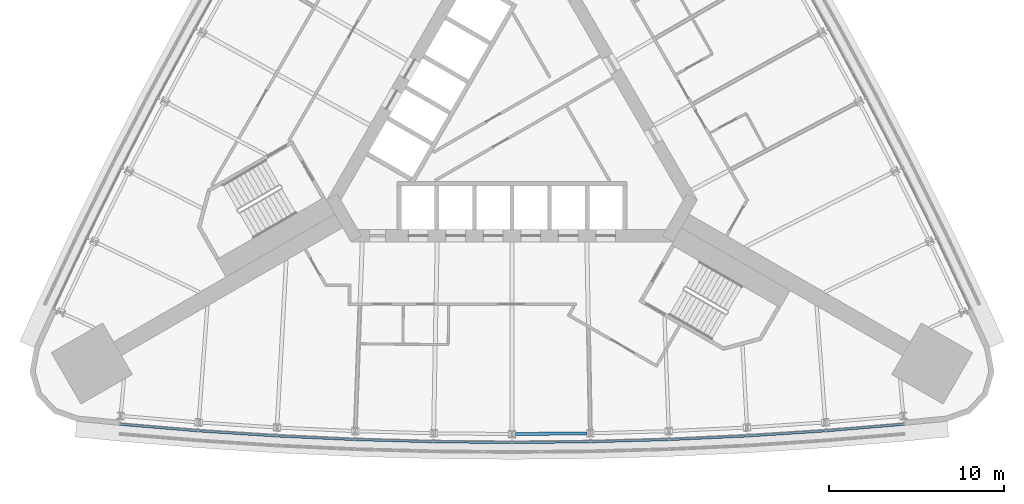
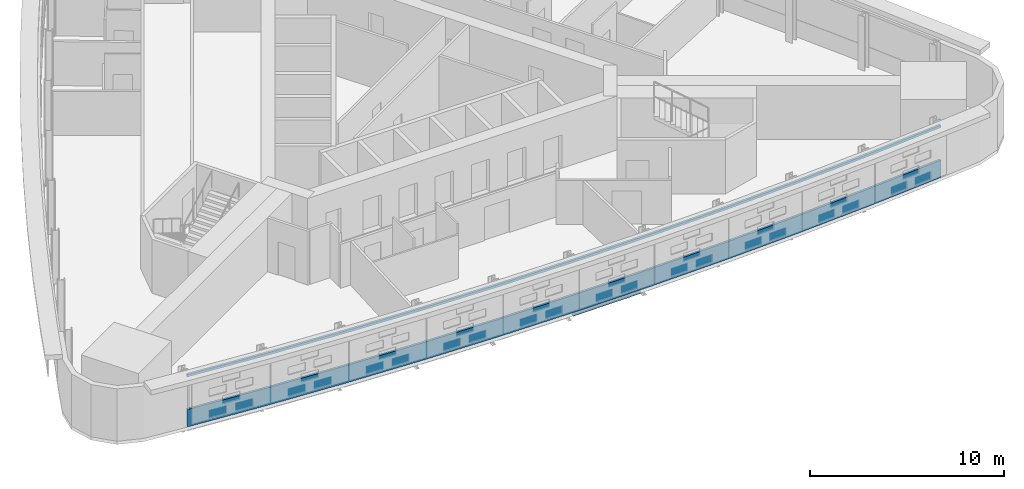
# One storey, part 3 of 15: 2 members, 1 beam, 1 element without a shape of its own.
"""IFC4 building model written with IfcOpenShell, lengths in metres."""

from ifc_helpers import new_model, si_unit, direction, frame, origin, origin_2d, place, context, subcontext, project, spatial, polyline, i_section, outline, extrude, material, material_profile, profile_set, type_object, element, aggregate, save


model = new_model("IFC4")

# Units and contexts
model_context = context("Model", 3, precision=1e-05, world=origin(), true_north=direction((0.0, 1.0)))
body_context = subcontext(model_context, "Body", "Model", "MODEL_VIEW")
ifc_project = project(units=[si_unit("LENGTHUNIT", "METRE"), si_unit("AREAUNIT", "SQUARE_METRE"), si_unit("VOLUMEUNIT", "CUBIC_METRE"), si_unit("PLANEANGLEUNIT", "RADIAN"), si_unit("MASSUNIT", "GRAM", prefix="KILO")], contexts=[model_context])

# Site, building, storey
site_placement = place(None, origin())
site = spatial("IfcSite", under=ifc_project, at=site_placement, CompositionType="ELEMENT")
building_placement = place(site_placement, origin())
building = spatial("IfcBuilding", under=site, at=building_placement, Name="Noor Cloister Tower", CompositionType="ELEMENT")
storey_placement = place(building_placement, frame((0.0, 0.0, 27.60009765625)))
storey = spatial("IfcBuildingStorey", under=building, at=storey_placement, Name="L06", CompositionType="ELEMENT", Elevation=27.60009765625)

# Curtain wall, members
ifc_material_1 = material(Name="Aluminium 6063-T6 anodised", Category="aluminium")
curtain_wall_type = type_object("IfcCurtainWallType", Name="Ribbon curtain wall, lower tower CW1", PredefinedType="NOTDEFINED", material=ifc_material_1)
curtain_wall_placement = place(storey_placement, origin())
curtain_wall = element("IfcCurtainWall", 1, at=curtain_wall_placement, inside=storey, type_object=curtain_wall_type, Name="CW1 L06 S run 2", PredefinedType="NOTDEFINED")
ifc_material_2 = material(Name="Aluminium 6063-T6 anodised", Category="aluminium")
member_type_1 = type_object("IfcMemberType", Name="Head transom CW1 150", PredefinedType="USERDEFINED", material=ifc_material_2)
member_1_placement = place(storey_placement, frame((0.0, 0.0, 3.14990234375)))
member_1 = element("IfcMember", 2, at=member_1_placement, type_object=member_type_1, Name="CW1 head transom", ObjectType="TRANSOM", PredefinedType="USERDEFINED", context=body_context, shape_type="SweptSolid", body=[
    extrude(outline(polyline([(-22.4677734375, -17.440185546875), (-17.9833984375, -17.8154296875), (-13.492919921875, -18.107421875), (-8.998046875, -18.316162109375), (-4.499755859375, -18.44140625), (0.0, -18.483154296875), (4.499755859375, -18.44140625), (8.998046875, -18.316162109375), (13.492919921875, -18.107421875), (17.9833984375, -17.8154296875), (22.4677734375, -17.440185546875), (22.4560546875, -17.30078125), (17.97314453125, -17.67578125), (13.4853515625, -17.9677734375), (8.99267578125, -18.17626953125), (4.4970703125, -18.301513671875), (0.0, -18.34326171875), (-4.4970703125, -18.301513671875), (-8.99267578125, -18.17626953125), (-13.4853515625, -17.9677734375), (-17.97314453125, -17.67578125), (-22.4560546875, -17.30078125), (-22.4677734375, -17.440185546875)])), origin(), (0.0, 0.0, 1.0), 0.14990234375),
])
ifc_material_3 = material(Name="Aluminium 6063-T6 anodised", Category="aluminium")
member_type_2 = type_object("IfcMemberType", Name="Sill transom CW1 1100", PredefinedType="USERDEFINED", material=ifc_material_3)
member_2_placement = place(storey_placement, origin())
member_2 = element("IfcMember", 3, at=member_2_placement, type_object=member_type_2, Name="CW1 sill transom", ObjectType="TRANSOM", PredefinedType="USERDEFINED", context=body_context, shape_type="SweptSolid", body=[
    extrude(outline(polyline([(-22.4677734375, -17.440185546875), (-17.9833984375, -17.8154296875), (-13.492919921875, -18.107421875), (-8.998046875, -18.316162109375), (-4.499755859375, -18.44140625), (0.0, -18.483154296875), (4.499755859375, -18.44140625), (8.998046875, -18.316162109375), (13.492919921875, -18.107421875), (17.9833984375, -17.8154296875), (22.4677734375, -17.440185546875), (22.4560546875, -17.30078125), (17.97314453125, -17.67578125), (13.4853515625, -17.9677734375), (8.99267578125, -18.17626953125), (4.4970703125, -18.301513671875), (0.0, -18.34326171875), (-4.4970703125, -18.301513671875), (-8.99267578125, -18.17626953125), (-13.4853515625, -17.9677734375), (-17.97314453125, -17.67578125), (-22.4560546875, -17.30078125), (-22.4677734375, -17.440185546875)])), origin(), (0.0, 0.0, 1.0), 1.099853515625),
])
aggregate(curtain_wall, [member_2, member_1])

# Beam
ifc_material_4 = material(Name="Steel ASTM A992 Gr 50", Category="steel")
ifc_material_profile = material_profile(ifc_material_4, i_section(OverallWidth=0.177978515625, OverallDepth=0.406005859375, WebThickness=0.0078125, FlangeThickness=0.0126953125, FilletRadius=0.01025390625, at=origin_2d()), Name="W410x60")
ifc_profile_set = profile_set([ifc_material_profile], Name="Steel ASTM A992 Gr 50")
beam_type = type_object("IfcBeamType", Name="Spandrel beam W410x60", PredefinedType="SPANDREL", material=ifc_profile_set)
beam_placement = place(storey_placement, frame((0.201904296875, -17.931396484375, -0.403076171875), z_axis=(0.999956555034, 0.009321375715, 0.0), x_axis=(-0.009321375715, 0.999956555034, 0.0)))
element("IfcBeam", 4, at=beam_placement, inside=storey, type_object=beam_type, Name="Spandrel beam S 06 L06", PredefinedType="SPANDREL", context=body_context, shape_type="SweptSolid", body=[
    extrude(i_section(OverallWidth=0.177978515625, OverallDepth=0.406005859375, WebThickness=0.0078125, FlangeThickness=0.0126953125, FilletRadius=0.01025390625, at=origin_2d()), origin(), (0.0, 0.0, 1.0), 4.0859375),
])

save(model, "model.ifc")
